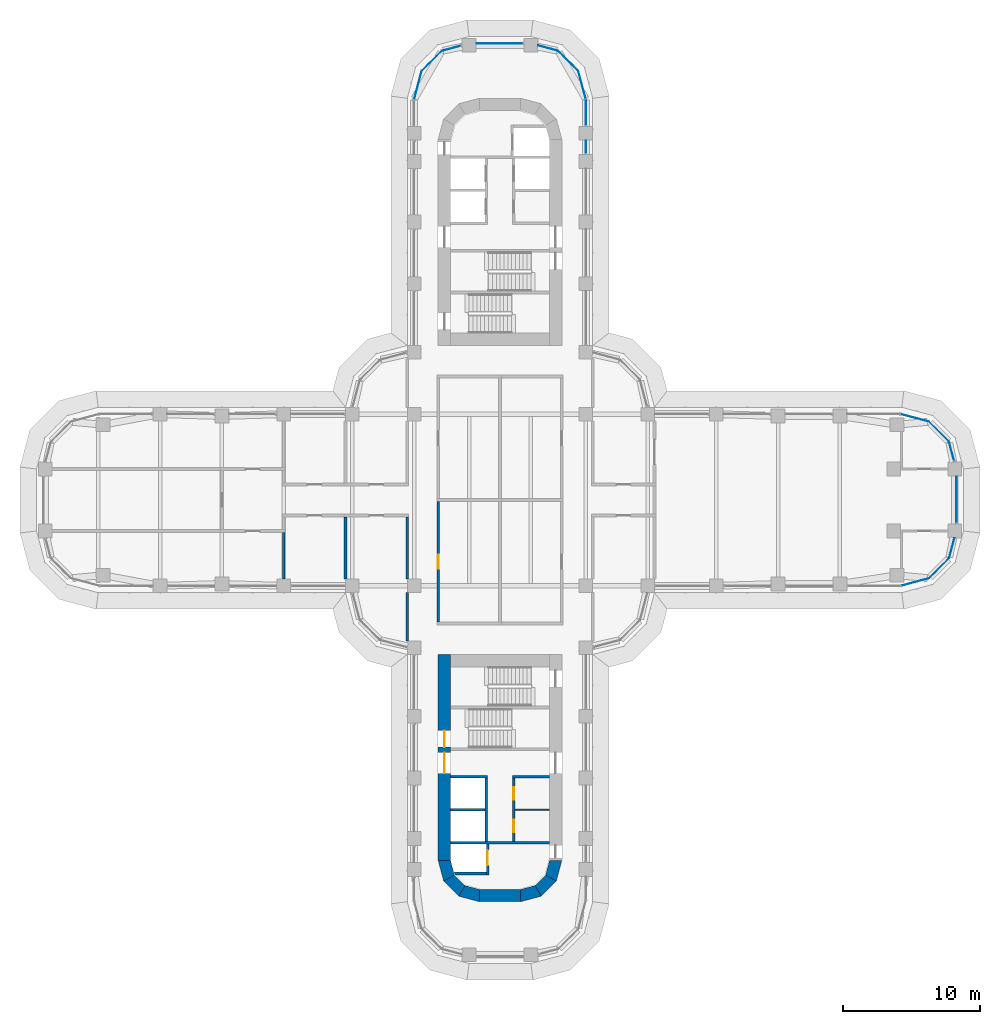
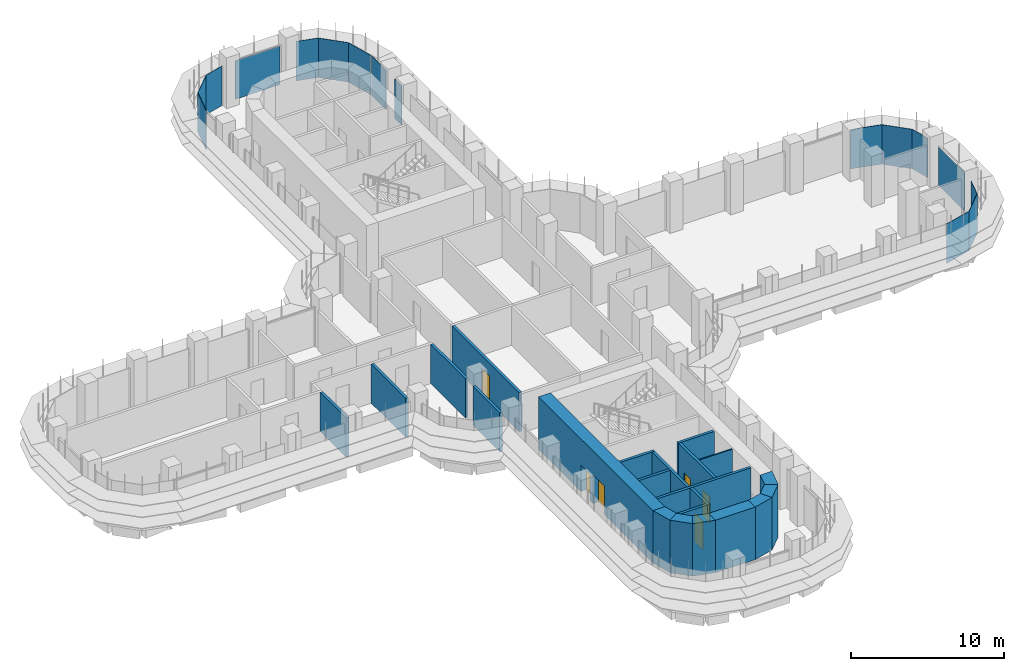
# One storey, part 16 of 23: 22 walls, 16 plates, 6 doors, 6 openings, 15 elements without a shape of their own.
"""IFC4 building model written with IfcOpenShell, lengths in metres."""

from ifc_helpers import new_model, si_unit, direction, frame, frame_2d, origin, place, context, subcontext, project, spatial, polyline, rectangle, outline, extrude, source, transform, mapped, material, layer, layer_set, type_object, element, fill, aggregate, save


model = new_model("IFC4")

# Units and contexts
model_context = context("Model", 3, precision=1e-05, world=origin(), true_north=direction((0.0, 1.0)))
body_context = subcontext(model_context, "Body", "Model", "MODEL_VIEW")
ifc_project = project(units=[si_unit("LENGTHUNIT", "METRE"), si_unit("AREAUNIT", "SQUARE_METRE"), si_unit("VOLUMEUNIT", "CUBIC_METRE"), si_unit("PLANEANGLEUNIT", "RADIAN"), si_unit("MASSUNIT", "GRAM", prefix="KILO")], contexts=[model_context])

# Site, building, storey
site_placement = place(None, origin())
site = spatial("IfcSite", under=ifc_project, at=site_placement, CompositionType="ELEMENT")
building_placement = place(site_placement, origin())
building = spatial("IfcBuilding", under=site, at=building_placement, Name="Zarbagh Exchange Tower", CompositionType="ELEMENT")
storey_placement = place(building_placement, frame((0.0, 0.0, 60.60009765625)))
storey = spatial("IfcBuildingStorey", under=building, at=storey_placement, Name="L13", CompositionType="ELEMENT", Elevation=60.60009765625)

# Curtain wall, plate
ifc_material_1 = material(Name="Anodised aluminium frame and glazing", Category="aluminium")
curtain_wall_type = type_object("IfcCurtainWallType", Name="CWA Ribbon glazing, lower zones", PredefinedType="NOTDEFINED", material=ifc_material_1)
curtain_wall_1_placement = place(storey_placement, origin())
curtain_wall_1 = element("IfcCurtainWall", 1, at=curtain_wall_1_placement, inside=storey, type_object=curtain_wall_type, Name="CWA13 curtain wall", PredefinedType="NOTDEFINED")
ifc_material_2 = material(Name="Low-e double glazed unit, 6+12+6 mm")
ifc_layer_1 = layer(ifc_material_2, 0.028076171875)
ifc_layer_set_1 = layer_set([ifc_layer_1], Name="PAA Glazing panel, Low-e double glazed unit, 6+12+6 mm")
plate_type = type_object("IfcPlateType", Name="PAA Glazing panel, Low-e double glazed unit, 6+12+6 mm", PredefinedType="CURTAIN_PANEL", material=ifc_layer_set_1)
shared_shape_1 = source(origin(), body_context, "Body", "SweptSolid", [
    extrude(outline(polyline([(0.0, -0.013916015625), (1.4423828125, -0.013916015625), (1.4423828125, 0.013916015625), (0.0, 0.013916015625), (0.0, -0.013916015625)])), origin(), (0.0, 0.0, 1.0), 3.14990234375),
])
placement = place(storey_placement, origin())
plate_1 = element("IfcPlate", 2, at=placement, type_object=plate_type, Name="CWA13 glazing panel 1.1", PredefinedType="CURTAIN_PANEL", context=body_context, shape_type="MappedRepresentation", body=[
    mapped(shared_shape_1, transform((33.072021484375, 2.847900390625, 0.0), x_axis=(-0.258824779902, 0.965924289636, 0.0), y_axis=(-0.965924289636, -0.258824779902, 0.0), z_axis=(0.0, 0.0, 1.0))),
])
aggregate(curtain_wall_1, [plate_1])

curtain_wall_2_placement = place(storey_placement, origin())
curtain_wall_2 = element("IfcCurtainWall", 3, at=curtain_wall_2_placement, inside=storey, type_object=curtain_wall_type, Name="CWA25 curtain wall", PredefinedType="NOTDEFINED")
plate_2 = element("IfcPlate", 4, at=placement, type_object=plate_type, Name="CWA25 glazing panel 1.1", PredefinedType="CURTAIN_PANEL", context=body_context, shape_type="MappedRepresentation", body=[
    mapped(shared_shape_1, transform((-2.847900390625, 33.072021484375, 0.0), x_axis=(-0.965924289636, -0.258824779902, 0.0), y_axis=(0.258824779902, -0.965924289636, 0.0), z_axis=(0.0, 0.0, 1.0))),
])
aggregate(curtain_wall_2, [plate_2])

curtain_wall_3_placement = place(storey_placement, origin())
curtain_wall_3 = element("IfcCurtainWall", 5, at=curtain_wall_3_placement, inside=storey, type_object=curtain_wall_type, Name="CWA10 curtain wall", PredefinedType="NOTDEFINED")
shared_shape_2 = source(origin(), body_context, "Body", "SweptSolid", [
    extrude(outline(polyline([(0.0, -0.013916015625), (2.061279296875, -0.013916015625), (2.061279296875, 0.013916015625), (0.0, 0.013916015625), (0.0, -0.013916015625)])), origin(), (0.0, 0.0, 1.0), 3.14990234375),
])
plate_3 = element("IfcPlate", 6, at=placement, type_object=plate_type, Name="CWA10 glazing panel 1.1", PredefinedType="CURTAIN_PANEL", context=body_context, shape_type="MappedRepresentation", body=[
    mapped(shared_shape_2, transform((31.2412109375, -5.69873046875, 0.0), x_axis=(0.707106781187, 0.707106781187, 0.0), y_axis=(-0.707106781187, 0.707106781187, 0.0), z_axis=(0.0, 0.0, 1.0))),
])
aggregate(curtain_wall_3, [plate_3])

curtain_wall_4_placement = place(storey_placement, origin())
curtain_wall_4 = element("IfcCurtainWall", 7, at=curtain_wall_4_placement, inside=storey, type_object=curtain_wall_type, Name="CWA14 curtain wall", PredefinedType="NOTDEFINED")
plate_4 = element("IfcPlate", 8, at=placement, type_object=plate_type, Name="CWA14 glazing panel 1.1", PredefinedType="CURTAIN_PANEL", context=body_context, shape_type="MappedRepresentation", body=[
    mapped(shared_shape_2, transform((32.69873046875, 4.2412109375, 0.0), x_axis=(-0.707106781187, 0.707106781187, 0.0), y_axis=(-0.707106781187, -0.707106781187, 0.0), z_axis=(0.0, 0.0, 1.0))),
])
aggregate(curtain_wall_4, [plate_4])

curtain_wall_5_placement = place(storey_placement, origin())
curtain_wall_5 = element("IfcCurtainWall", 9, at=curtain_wall_5_placement, inside=storey, type_object=curtain_wall_type, Name="CWA22 curtain wall", PredefinedType="NOTDEFINED")
plate_5 = element("IfcPlate", 10, at=placement, type_object=plate_type, Name="CWA22 glazing panel 1.1", PredefinedType="CURTAIN_PANEL", context=body_context, shape_type="MappedRepresentation", body=[
    mapped(shared_shape_2, transform((5.69873046875, 31.2412109375, 0.0), x_axis=(-0.707106781187, 0.707106781187, 0.0), y_axis=(-0.707106781187, -0.707106781187, 0.0), z_axis=(0.0, 0.0, 1.0))),
])
aggregate(curtain_wall_5, [plate_5])

curtain_wall_6_placement = place(storey_placement, origin())
curtain_wall_6 = element("IfcCurtainWall", 11, at=curtain_wall_6_placement, inside=storey, type_object=curtain_wall_type, Name="CWA26 curtain wall", PredefinedType="NOTDEFINED")
plate_6 = element("IfcPlate", 12, at=placement, type_object=plate_type, Name="CWA26 glazing panel 1.1", PredefinedType="CURTAIN_PANEL", context=body_context, shape_type="MappedRepresentation", body=[
    mapped(shared_shape_2, transform((-4.2412109375, 32.69873046875, 0.0), x_axis=(-0.707106781187, -0.707106781187, 0.0), y_axis=(0.707106781187, -0.707106781187, 0.0), z_axis=(0.0, 0.0, 1.0))),
])
aggregate(curtain_wall_6, [plate_6])

curtain_wall_7_placement = place(storey_placement, origin())
curtain_wall_7 = element("IfcCurtainWall", 13, at=curtain_wall_7_placement, inside=storey, type_object=curtain_wall_type, Name="CWA15 curtain wall", PredefinedType="NOTDEFINED")
shared_shape_3 = source(origin(), body_context, "Body", "SweptSolid", [
    extrude(outline(polyline([(0.0, -0.013916015625), (2.129638671875, -0.013916015625), (2.129638671875, 0.013916015625), (0.0, 0.013916015625), (0.0, -0.013916015625)])), origin(), (0.0, 0.0, 1.0), 3.14990234375),
])
plate_7 = element("IfcPlate", 14, at=placement, type_object=plate_type, Name="CWA15 glazing panel 1.1", PredefinedType="CURTAIN_PANEL", context=body_context, shape_type="MappedRepresentation", body=[
    mapped(shared_shape_3, transform((31.2412109375, 5.69873046875, 0.0), x_axis=(-0.965924289636, 0.258824779902, 0.0), y_axis=(-0.258824779902, -0.965924289636, 0.0), z_axis=(0.0, 0.0, 1.0))),
])
aggregate(curtain_wall_7, [plate_7])

curtain_wall_8_placement = place(storey_placement, origin())
curtain_wall_8 = element("IfcCurtainWall", 15, at=curtain_wall_8_placement, inside=storey, type_object=curtain_wall_type, Name="CWA27 curtain wall", PredefinedType="NOTDEFINED")
plate_8 = element("IfcPlate", 16, at=placement, type_object=plate_type, Name="CWA27 glazing panel 1.1", PredefinedType="CURTAIN_PANEL", context=body_context, shape_type="MappedRepresentation", body=[
    mapped(shared_shape_3, transform((-5.69873046875, 31.2412109375, 0.0), x_axis=(-0.258824779902, -0.965924289636, 0.0), y_axis=(0.965924289636, -0.258824779902, 0.0), z_axis=(0.0, 0.0, 1.0))),
])
aggregate(curtain_wall_8, [plate_8])

curtain_wall_9_placement = place(storey_placement, origin())
curtain_wall_9 = element("IfcCurtainWall", 17, at=curtain_wall_9_placement, inside=storey, type_object=curtain_wall_type, Name="CWA09 curtain wall", PredefinedType="NOTDEFINED")
shared_shape_4 = source(origin(), body_context, "Body", "SweptSolid", [
    extrude(outline(polyline([(0.0, -0.013916015625), (2.069580078125, -0.013916015625), (2.069580078125, 0.013916015625), (0.0, 0.013916015625), (0.0, -0.013916015625)])), origin(), (0.0, 0.0, 1.0), 3.14990234375),
])
plate_9 = element("IfcPlate", 18, at=placement, type_object=plate_type, Name="CWA09 glazing panel 1.1", PredefinedType="CURTAIN_PANEL", context=body_context, shape_type="MappedRepresentation", body=[
    mapped(shared_shape_4, transform((29.2421875, -6.234375, 0.0), x_axis=(0.965924289636, 0.258824779902, 0.0), y_axis=(-0.258824779902, 0.965924289636, 0.0), z_axis=(0.0, 0.0, 1.0))),
])
aggregate(curtain_wall_9, [plate_9])

curtain_wall_10_placement = place(storey_placement, origin())
curtain_wall_10 = element("IfcCurtainWall", 19, at=curtain_wall_10_placement, inside=storey, type_object=curtain_wall_type, Name="CWA21 curtain wall", PredefinedType="NOTDEFINED")
plate_10 = element("IfcPlate", 20, at=placement, type_object=plate_type, Name="CWA21 glazing panel 1.1", PredefinedType="CURTAIN_PANEL", context=body_context, shape_type="MappedRepresentation", body=[
    mapped(shared_shape_4, transform((6.234375, 29.2421875, 0.0), x_axis=(-0.258824779902, 0.965924289636, 0.0), y_axis=(-0.965924289636, -0.258824779902, 0.0), z_axis=(0.0, 0.0, 1.0))),
])
aggregate(curtain_wall_10, [plate_10])

curtain_wall_11_placement = place(storey_placement, origin())
curtain_wall_11 = element("IfcCurtainWall", 21, at=curtain_wall_11_placement, inside=storey, type_object=curtain_wall_type, Name="CWA11 curtain wall", PredefinedType="NOTDEFINED")
shared_shape_5 = source(origin(), body_context, "Body", "SweptSolid", [
    extrude(outline(polyline([(0.0, -0.013916015625), (1.50244140625, -0.013916015625), (1.50244140625, 0.013916015625), (0.0, 0.013916015625), (0.0, -0.013916015625)])), origin(), (0.0, 0.0, 1.0), 3.14990234375),
])
plate_11 = element("IfcPlate", 22, at=placement, type_object=plate_type, Name="CWA11 glazing panel 1.1", PredefinedType="CURTAIN_PANEL", context=body_context, shape_type="MappedRepresentation", body=[
    mapped(shared_shape_5, transform((32.69873046875, -4.2412109375, 0.0), x_axis=(0.258824779902, 0.965924289636, 0.0), y_axis=(-0.965924289636, 0.258824779902, 0.0), z_axis=(0.0, 0.0, 1.0))),
])
aggregate(curtain_wall_11, [plate_11])

curtain_wall_12_placement = place(storey_placement, origin())
curtain_wall_12 = element("IfcCurtainWall", 23, at=curtain_wall_12_placement, inside=storey, type_object=curtain_wall_type, Name="CWA23 curtain wall", PredefinedType="NOTDEFINED")
plate_12 = element("IfcPlate", 24, at=placement, type_object=plate_type, Name="CWA23 glazing panel 1.1", PredefinedType="CURTAIN_PANEL", context=body_context, shape_type="MappedRepresentation", body=[
    mapped(shared_shape_5, transform((4.2412109375, 32.69873046875, 0.0), x_axis=(-0.965924289636, 0.258824779902, 0.0), y_axis=(-0.258824779902, -0.965924289636, 0.0), z_axis=(0.0, 0.0, 1.0))),
])
aggregate(curtain_wall_12, [plate_12])

curtain_wall_13_placement = place(storey_placement, origin())
curtain_wall_13 = element("IfcCurtainWall", 25, at=curtain_wall_13_placement, inside=storey, type_object=curtain_wall_type, Name="CWA12 curtain wall", PredefinedType="NOTDEFINED")
shared_shape_6 = source(origin(), body_context, "Body", "SweptSolid", [
    extrude(outline(polyline([(0.0, -0.013916015625), (3.360107421875, -0.013916015625), (3.360107421875, 0.013916015625), (0.0, 0.013916015625), (0.0, -0.013916015625)])), origin(), (0.0, 0.0, 1.0), 3.090087890625),
])
plate_13 = element("IfcPlate", 26, at=placement, type_object=plate_type, Name="CWA12 glazing panel 1.1", PredefinedType="CURTAIN_PANEL", context=body_context, shape_type="MappedRepresentation", body=[
    mapped(shared_shape_6, transform((33.25, -1.64990234375, 0.0), x_axis=(0.0, 1.0, 0.0), y_axis=(-1.0, 0.0, 0.0), z_axis=(0.0, 0.0, 1.0))),
])
aggregate(curtain_wall_13, [plate_13])

curtain_wall_14_placement = place(storey_placement, origin())
curtain_wall_14 = element("IfcCurtainWall", 27, at=curtain_wall_14_placement, inside=storey, type_object=curtain_wall_type, Name="CWA24 curtain wall", PredefinedType="NOTDEFINED")
plate_14 = element("IfcPlate", 28, at=placement, type_object=plate_type, Name="CWA24 glazing panel 1.1", PredefinedType="CURTAIN_PANEL", context=body_context, shape_type="MappedRepresentation", body=[
    mapped(shared_shape_6, transform((1.64990234375, 33.25, 0.0), x_axis=(-1.0, 0.0, 0.0), y_axis=(0.0, -1.0, 0.0), z_axis=(0.0, 0.0, 1.0))),
])
aggregate(curtain_wall_14, [plate_14])

# Curtain wall, plates
curtain_wall_15_placement = place(storey_placement, origin())
curtain_wall_15 = element("IfcCurtainWall", 29, at=curtain_wall_15_placement, inside=storey, type_object=curtain_wall_type, Name="CWA20 curtain wall", PredefinedType="NOTDEFINED")
shared_shape_7 = source(origin(), body_context, "Body", "SweptSolid", [
    extrude(outline(polyline([(0.0, -0.013916015625), (0.909912109375, -0.013916015625), (0.909912109375, 0.013916015625), (0.0, 0.013916015625), (0.0, -0.013916015625)])), origin(), (0.0, 0.0, 1.0), 3.14990234375),
])
plate_15 = element("IfcPlate", 30, at=placement, type_object=plate_type, Name="CWA20 glazing panel 4.1", PredefinedType="CURTAIN_PANEL", context=body_context, shape_type="MappedRepresentation", body=[
    mapped(shared_shape_7, transform((6.25, 25.25, 0.0), x_axis=(0.0, 1.0, 0.0), y_axis=(-1.0, 0.0, 0.0), z_axis=(0.0, 0.0, 1.0))),
])
shared_shape_8 = source(origin(), body_context, "Body", "SweptSolid", [
    extrude(outline(polyline([(0.0, -0.013916015625), (1.884033203125, -0.013916015625), (1.884033203125, 0.013916015625), (0.0, 0.013916015625), (0.0, -0.013916015625)])), origin(), (0.0, 0.0, 1.0), 3.14990234375),
])
plate_16 = element("IfcPlate", 31, at=placement, type_object=plate_type, Name="CWA20 glazing panel 5.1", PredefinedType="CURTAIN_PANEL", context=body_context, shape_type="MappedRepresentation", body=[
    mapped(shared_shape_8, transform((6.25, 27.300048828125, 0.0), x_axis=(0.0, 1.0, 0.0), y_axis=(-1.0, 0.0, 0.0), z_axis=(0.0, 0.0, 1.0))),
])
aggregate(curtain_wall_15, [plate_15, plate_16])

# Wall
ifc_material_3 = material(Name="Dense blockwork", Category="masonry")
ifc_layer_2 = layer(ifc_material_3, 0.10009765625)
ifc_layer_set_2 = layer_set([ifc_layer_2], Name="Core partition 100 mm blockwork")
wall_type_1 = type_object("IfcWallType", Name="Core partition 100 mm blockwork", PredefinedType="PARTITIONING", material=ifc_layer_set_2)
wall_1_placement = place(storey_placement, frame((3.60009765625, -22.550048828125, 0.0), z_axis=(0.0, 0.0, 1.0), x_axis=(-1.0, 0.0, 0.0)))
element("IfcWall", 32, at=wall_1_placement, inside=storey, type_object=wall_type_1, Name="South core partition wall CUT-W-580", PredefinedType="PARTITIONING", context=body_context, shape_type="SweptSolid", body=[
    extrude(rectangle(XDim=2.5, YDim=0.10009765625, at=frame_2d((1.25, 0.0))), origin(), (0.0, 0.0, 1.0), 4.0498046875),
])

# Wall, opening, door
ifc_material_4 = material(Name="Fire-rated plasterboard partition")
ifc_layer_3 = layer(ifc_material_4, 0.199951171875)
ifc_layer_set_3 = layer_set([ifc_layer_3], Name="RATED PARTITION 200")
wall_type_2 = type_object("IfcWallType", Name="RATED PARTITION 200", PredefinedType="PARTITIONING", material=ifc_layer_set_3)
wall_2_placement = place(storey_placement, frame((-4.5, -0.10009765625, 0.0), z_axis=(0.0, 0.0, 1.0), x_axis=(0.0, -1.0, 0.0)))
wall_2 = element("IfcWall", 33, at=wall_2_placement, inside=storey, type_object=wall_type_2, Name="Partition W-402", PredefinedType="PARTITIONING", context=body_context, shape_type="SweptSolid", body=[
    extrude(rectangle(XDim=8.7998046875, YDim=0.199951171875, at=frame_2d((4.39990234375, 0.0))), origin(), (0.0, 0.0, 1.0), 3.13037109375),
])
opening_1_placement = place(wall_2_placement, frame((3.89990234375, 0.0, 0.0)))
opening_1 = element("IfcOpeningElement", 34, at=opening_1_placement, cuts=wall_2, Name="Opening D-404", PredefinedType="OPENING", context=body_context, shape_type="SweptSolid", body=[
    extrude(rectangle(XDim=1.0, YDim=2.10009765625, at=frame_2d((0.5, 1.050048828125))), frame((0.0, 0.10986328125, 0.0), z_axis=(0.0, -1.0, 0.0), x_axis=(1.0, 0.0, 0.0)), (0.0, 0.0, 1.0), 0.219970703125),
])
ifc_material_5 = material(Name="Steel door set", Category="steel")
door_type_1 = type_object("IfcDoorType", Name="FIRE DOOR 1000 X 2100 FD30S", OperationType="NOTDEFINED", PredefinedType="DOOR", material=ifc_material_5)
door_1_placement = place(opening_1_placement, origin())
door_1 = element("IfcDoor", 35, at=door_1_placement, inside=storey, type_object=door_type_1, Name="Door D-404", OperationType="SINGLE_SWING_RIGHT", OverallHeight=2.10009765625, OverallWidth=1.0, PredefinedType="DOOR", context=body_context, shape_type="SweptSolid", body=[
    extrude(rectangle(XDim=1.0, YDim=2.10009765625, at=frame_2d((0.5, 1.050048828125))), frame((0.0, 0.02490234375, 0.0), z_axis=(0.0, -1.0, 0.0), x_axis=(1.0, 0.0, 0.0)), (0.0, 0.0, 1.0), 0.050048828125),
])
fill(opening_1, door_1)

# Walls
wall_3_placement = place(storey_placement, frame((-6.75, -10.25, 0.0), z_axis=(0.0, 0.0, 1.0), x_axis=(0.0, 1.0, 0.0)))
element("IfcWall", 36, at=wall_3_placement, inside=storey, type_object=wall_type_2, Name="Partition W-405", PredefinedType="PARTITIONING", context=body_context, shape_type="SweptSolid", body=[
    extrude(rectangle(XDim=3.5, YDim=0.199951171875, at=frame_2d((1.75, 0.0))), origin(), (0.0, 0.0, 1.0), 3.13037109375),
])
for number, where, z_axis, x_axis, name in (
    (37, (-6.75, -5.75, 0.0), (0.0, 0.0, 1.0), (0.0, 1.0, 0.0), "Partition W-406"),
    (38, (-11.25, -5.75, 0.0), (0.0, 0.0, 1.0), (0.0, 1.0, 0.0), "Partition W-435"),
):
    element("IfcWall", number, at=place(storey_placement, frame(where, z_axis=z_axis, x_axis=x_axis)), inside=storey, type_object=wall_type_2, Name=name, PredefinedType="PARTITIONING", context=body_context, shape_type="SweptSolid", body=[
        extrude(rectangle(XDim=4.52490234375, YDim=0.199951171875, at=frame_2d((2.262451171875, 0.0))), origin(), (0.0, 0.0, 1.0), 3.13037109375),
    ])
wall_4_placement = place(storey_placement, frame((-15.75, -5.75, 0.0), z_axis=(0.0, 0.0, 1.0), x_axis=(0.0, 1.0, 0.0)))
element("IfcWall", 39, at=wall_4_placement, inside=storey, type_object=wall_type_2, Name="Partition W-439", PredefinedType="PARTITIONING", context=body_context, shape_type="SweptSolid", body=[
    extrude(rectangle(XDim=3.39990234375, YDim=0.199951171875, at=frame_2d((1.699951171875, 0.0))), origin(), (0.0, 0.0, 1.0), 3.13037109375),
])
ifc_material_6 = material(Name="Concrete C60/75", Category="concrete")
ifc_layer_4 = layer(ifc_material_6, 0.89990234375)
ifc_layer_set_4 = layer_set([ifc_layer_4], Name="RC core corner wall 900 C60/75")
wall_type_3 = type_object("IfcWallType", Name="RC core corner wall 900 C60/75", PredefinedType="SHEAR", material=ifc_layer_set_4)
wall_5_placement = place(storey_placement, origin())
element("IfcWall", 40, at=wall_5_placement, inside=storey, type_object=wall_type_3, Name="CW2 core S corner W", PredefinedType="SHEAR", context=body_context, shape_type="SweptSolid", body=[
    extrude(outline(polyline([(-4.5, -26.25), (-4.09814453125, -27.75), (-3.318603515625, -27.300048828125), (-3.60009765625, -26.25), (-4.5, -26.25)])), origin(), (0.0, 0.0, 1.0), 4.199951171875),
])
wall_6_placement = place(storey_placement, origin())
element("IfcWall", 41, at=wall_6_placement, inside=storey, type_object=wall_type_3, Name="CW2 core S corner W", PredefinedType="SHEAR", context=body_context, shape_type="SweptSolid", body=[
    extrude(outline(polyline([(-4.09814453125, -27.75), (-3.0, -28.84814453125), (-2.550048828125, -28.068603515625), (-3.318603515625, -27.300048828125), (-4.09814453125, -27.75)])), origin(), (0.0, 0.0, 1.0), 4.199951171875),
])
wall_7_placement = place(storey_placement, origin())
element("IfcWall", 42, at=wall_7_placement, inside=storey, type_object=wall_type_3, Name="CW2 core S corner W", PredefinedType="SHEAR", context=body_context, shape_type="SweptSolid", body=[
    extrude(outline(polyline([(-3.0, -28.84814453125), (-1.5, -29.25), (-1.5, -28.35009765625), (-2.550048828125, -28.068603515625), (-3.0, -28.84814453125)])), origin(), (0.0, 0.0, 1.0), 4.199951171875),
])
wall_8_placement = place(storey_placement, origin())
element("IfcWall", 43, at=wall_8_placement, inside=storey, type_object=wall_type_3, Name="CW2 core S corner E", PredefinedType="SHEAR", context=body_context, shape_type="SweptSolid", body=[
    extrude(outline(polyline([(4.5, -26.25), (4.09814453125, -27.75), (3.318603515625, -27.300048828125), (3.60009765625, -26.25), (4.5, -26.25)])), origin(), (0.0, 0.0, 1.0), 4.199951171875),
])
wall_9_placement = place(storey_placement, origin())
element("IfcWall", 44, at=wall_9_placement, inside=storey, type_object=wall_type_3, Name="CW2 core S corner E", PredefinedType="SHEAR", context=body_context, shape_type="SweptSolid", body=[
    extrude(outline(polyline([(4.09814453125, -27.75), (3.0, -28.84814453125), (2.550048828125, -28.068603515625), (3.318603515625, -27.300048828125), (4.09814453125, -27.75)])), origin(), (0.0, 0.0, 1.0), 4.199951171875),
])
wall_10_placement = place(storey_placement, origin())
element("IfcWall", 45, at=wall_10_placement, inside=storey, type_object=wall_type_3, Name="CW2 core S corner E", PredefinedType="SHEAR", context=body_context, shape_type="SweptSolid", body=[
    extrude(outline(polyline([(3.0, -28.84814453125), (1.5, -29.25), (1.5, -28.35009765625), (2.550048828125, -28.068603515625), (3.0, -28.84814453125)])), origin(), (0.0, 0.0, 1.0), 4.199951171875),
])

# Wall, openings, doors
ifc_layer_5 = layer(ifc_material_6, 0.89990234375)
ifc_layer_set_5 = layer_set([ifc_layer_5], Name="RC core wall 900 C60/75")
wall_type_4 = type_object("IfcWallType", Name="RC core wall 900 C60/75", PredefinedType="SHEAR", material=ifc_layer_set_5)
wall_11_placement = place(storey_placement, frame((-4.050048828125, -11.25, 0.0), z_axis=(0.0, 0.0, 1.0), x_axis=(0.0, -1.0, 0.0)))
wall_11 = element("IfcWall", 46, at=wall_11_placement, inside=storey, type_object=wall_type_4, Name="CW1 core S W", PredefinedType="SHEAR", context=body_context, shape_type="SweptSolid", body=[
    extrude(rectangle(XDim=15.0, YDim=0.89990234375, at=frame_2d((7.5, 0.0))), origin(), (0.0, 0.0, 1.0), 4.199951171875),
])
opening_2_placement = place(wall_11_placement, frame((7.14990234375, 0.0, 0.0)))
opening_2 = element("IfcOpeningElement", 47, at=opening_2_placement, cuts=wall_11, Name="Opening CD1-1500", PredefinedType="OPENING", context=body_context, shape_type="SweptSolid", body=[
    extrude(rectangle(XDim=1.5, YDim=2.300048828125, at=frame_2d((0.75, 1.14990234375))), frame((0.0, 0.4599609375, 0.0), z_axis=(0.0, -1.0, 0.0), x_axis=(1.0, 0.0, 0.0)), (0.0, 0.0, 1.0), 0.919921875),
])
opening_3_placement = place(wall_11_placement, frame((5.550048828125, 0.0, 0.0)))
opening_3 = element("IfcOpeningElement", 48, at=opening_3_placement, cuts=wall_11, Name="Opening SD1-1200", PredefinedType="OPENING", context=body_context, shape_type="SweptSolid", body=[
    extrude(rectangle(XDim=1.199951171875, YDim=2.10009765625, at=frame_2d((0.60009765625, 1.050048828125))), frame((0.0, 0.4599609375, 0.0), z_axis=(0.0, -1.0, 0.0), x_axis=(1.0, 0.0, 0.0)), (0.0, 0.0, 1.0), 0.919921875),
])
ifc_material_7 = material(Name="Steel", Category="steel")
door_type_2 = type_object("IfcDoorType", Name="Exit stair door 1200 x 2100", OperationType="NOTDEFINED", PredefinedType="DOOR", material=ifc_material_7)
door_2_placement = place(opening_3_placement, origin())
door_2 = element("IfcDoor", 49, at=door_2_placement, inside=storey, type_object=door_type_2, Name="South core stair door ST1", OperationType="SINGLE_SWING_LEFT", OverallHeight=2.10009765625, OverallWidth=1.199951171875, PredefinedType="DOOR", context=body_context, shape_type="SweptSolid", body=[
    extrude(rectangle(XDim=1.199951171875, YDim=2.10009765625, at=frame_2d((0.60009765625, 1.050048828125))), frame((0.0, 0.02490234375, 0.0), z_axis=(0.0, -1.0, 0.0), x_axis=(1.0, 0.0, 0.0)), (0.0, 0.0, 1.0), 0.050048828125),
])
fill(opening_3, door_2)
door_type_3 = type_object("IfcDoorType", Name="Lift lobby double door 1500 x 2300", OperationType="NOTDEFINED", PredefinedType="DOOR", material=ifc_material_7)
door_3_placement = place(opening_2_placement, origin())
door_3 = element("IfcDoor", 50, at=door_3_placement, inside=storey, type_object=door_type_3, Name="South core lift lobby door LOBBY-E", OperationType="DOUBLE_DOOR_SINGLE_SWING", OverallHeight=2.300048828125, OverallWidth=1.5, PredefinedType="DOOR", context=body_context, shape_type="SweptSolid", body=[
    extrude(rectangle(XDim=1.5, YDim=2.300048828125, at=frame_2d((0.75, 1.14990234375))), frame((0.0, 0.02490234375, 0.0), z_axis=(0.0, -1.0, 0.0), x_axis=(1.0, 0.0, 0.0)), (0.0, 0.0, 1.0), 0.050048828125),
])
fill(opening_2, door_3)

# Walls
wall_12_placement = place(storey_placement, frame((-1.5, -28.800048828125, 0.0), z_axis=(0.0, 0.0, 1.0), x_axis=(1.0, 0.0, 0.0)))
element("IfcWall", 51, at=wall_12_placement, inside=storey, type_object=wall_type_4, Name="CW1 core S outer end", PredefinedType="SHEAR", context=body_context, shape_type="SweptSolid", body=[
    extrude(rectangle(XDim=3.0, YDim=0.89990234375, at=frame_2d((1.5, 0.0))), origin(), (0.0, 0.0, 1.0), 4.199951171875),
])
ifc_layer_6 = layer(ifc_material_3, 0.199951171875)
ifc_layer_set_6 = layer_set([ifc_layer_6], Name="Shaft wall 200 mm blockwork")
wall_type_5 = type_object("IfcWallType", Name="Shaft wall 200 mm blockwork", PredefinedType="PARTITIONING", material=ifc_layer_set_6)
wall_13_placement = place(storey_placement, frame((3.60009765625, -20.14990234375, 0.0), z_axis=(0.0, 0.0, 1.0), x_axis=(-1.0, 0.0, 0.0)))
element("IfcWall", 52, at=wall_13_placement, inside=storey, type_object=wall_type_5, Name="South core shaft wall AB-W", PredefinedType="PARTITIONING", context=body_context, shape_type="SweptSolid", body=[
    extrude(rectangle(XDim=2.7001953125, YDim=0.199951171875, at=frame_2d((1.35009765625, 0.0))), origin(), (0.0, 0.0, 1.0), 4.0498046875),
])

# Wall, openings, doors
wall_14_placement = place(storey_placement, frame((1.0, -24.85009765625, 0.0), z_axis=(0.0, 0.0, 1.0), x_axis=(0.0, 1.0, 0.0)))
wall_14 = element("IfcWall", 53, at=wall_14_placement, inside=storey, type_object=wall_type_5, Name="South core shaft wall LW-W", PredefinedType="PARTITIONING", context=body_context, shape_type="SweptSolid", body=[
    extrude(rectangle(XDim=4.60009765625, YDim=0.199951171875, at=frame_2d((2.300048828125, 0.0))), origin(), (0.0, 0.0, 1.0), 4.0498046875),
])
opening_4_placement = place(wall_14_placement, frame((0.675048828125, 0.0, 0.0)))
opening_4 = element("IfcOpeningElement", 54, at=opening_4_placement, cuts=wall_14, Name="Opening CD3-900", PredefinedType="OPENING", context=body_context, shape_type="SweptSolid", body=[
    extrude(rectangle(XDim=0.89990234375, YDim=2.10009765625, at=frame_2d((0.449951171875, 1.050048828125))), frame((0.0, 0.10986328125, 0.0), z_axis=(0.0, -1.0, 0.0), x_axis=(1.0, 0.0, 0.0)), (0.0, 0.0, 1.0), 0.219970703125),
])
opening_5_placement = place(wall_14_placement, frame((3.02490234375, 0.0, 0.0)))
opening_5 = element("IfcOpeningElement", 55, at=opening_5_placement, cuts=wall_14, Name="Opening CD3-900", PredefinedType="OPENING", context=body_context, shape_type="SweptSolid", body=[
    extrude(rectangle(XDim=0.89990234375, YDim=2.10009765625, at=frame_2d((0.449951171875, 1.050048828125))), frame((0.0, 0.10986328125, 0.0), z_axis=(0.0, -1.0, 0.0), x_axis=(1.0, 0.0, 0.0)), (0.0, 0.0, 1.0), 0.219970703125),
])
door_type_4 = type_object("IfcDoorType", Name="Core room door 900 x 2100", OperationType="NOTDEFINED", PredefinedType="DOOR", material=ifc_material_7)
door_4_placement = place(opening_4_placement, origin())
door_4 = element("IfcDoor", 56, at=door_4_placement, inside=storey, type_object=door_type_4, Name="South core Staff WC door RD-W-0", OperationType="SINGLE_SWING_LEFT", OverallHeight=2.10009765625, OverallWidth=0.89990234375, PredefinedType="DOOR", context=body_context, shape_type="SweptSolid", body=[
    extrude(rectangle(XDim=0.89990234375, YDim=2.10009765625, at=frame_2d((0.449951171875, 1.050048828125))), frame((0.0, 0.02490234375, 0.0), z_axis=(0.0, -1.0, 0.0), x_axis=(1.0, 0.0, 0.0)), (0.0, 0.0, 1.0), 0.050048828125),
])
fill(opening_4, door_4)
door_5_placement = place(opening_5_placement, origin())
door_5 = element("IfcDoor", 57, at=door_5_placement, inside=storey, type_object=door_type_4, Name="South core Accessible WC door RD-W-1", OperationType="SINGLE_SWING_LEFT", OverallHeight=2.10009765625, OverallWidth=0.89990234375, PredefinedType="DOOR", context=body_context, shape_type="SweptSolid", body=[
    extrude(rectangle(XDim=0.89990234375, YDim=2.10009765625, at=frame_2d((0.449951171875, 1.050048828125))), frame((0.0, 0.02490234375, 0.0), z_axis=(0.0, -1.0, 0.0), x_axis=(1.0, 0.0, 0.0)), (0.0, 0.0, 1.0), 0.050048828125),
])
fill(opening_5, door_5)

# Walls
wall_15_placement = place(storey_placement, frame((-0.89990234375, -20.14990234375, 0.0), z_axis=(0.0, 0.0, 1.0), x_axis=(-1.0, 0.0, 0.0)))
element("IfcWall", 58, at=wall_15_placement, inside=storey, type_object=wall_type_5, Name="South core shaft wall AB-E", PredefinedType="PARTITIONING", context=body_context, shape_type="SweptSolid", body=[
    extrude(rectangle(XDim=2.7001953125, YDim=0.199951171875, at=frame_2d((1.35009765625, 0.0))), origin(), (0.0, 0.0, 1.0), 4.0498046875),
])
wall_16_placement = place(storey_placement, frame((-1.0, -24.85009765625, 0.0), z_axis=(0.0, 0.0, 1.0), x_axis=(0.0, 1.0, 0.0)))
element("IfcWall", 59, at=wall_16_placement, inside=storey, type_object=wall_type_5, Name="South core shaft wall LW-E", PredefinedType="PARTITIONING", context=body_context, shape_type="SweptSolid", body=[
    extrude(rectangle(XDim=4.60009765625, YDim=0.199951171875, at=frame_2d((2.300048828125, 0.0))), origin(), (0.0, 0.0, 1.0), 4.0498046875),
])
wall_17_placement = place(storey_placement, frame((-1.10009765625, -22.550048828125, 0.0), z_axis=(0.0, 0.0, 1.0), x_axis=(-1.0, 0.0, 0.0)))
element("IfcWall", 60, at=wall_17_placement, inside=storey, type_object=wall_type_5, Name="South core shaft wall TR-E", PredefinedType="PARTITIONING", context=body_context, shape_type="SweptSolid", body=[
    extrude(rectangle(XDim=2.5, YDim=0.199951171875, at=frame_2d((1.25, 0.0))), origin(), (0.0, 0.0, 1.0), 4.0498046875),
])
ifc_material_8 = material(Name="Concrete C40/50", Category="concrete")
ifc_layer_7 = layer(ifc_material_8, 0.199951171875)
ifc_layer_set_7 = layer_set([ifc_layer_7], Name="Stair enclosure wall 200 mm RC C40/50")
wall_type_6 = type_object("IfcWallType", Name="Stair enclosure wall 200 mm RC C40/50", PredefinedType="SHEAR", material=ifc_layer_set_7)
wall_18_placement = place(storey_placement, frame((3.60009765625, -24.949951171875, 0.0), z_axis=(0.0, 0.0, 1.0), x_axis=(-1.0, 0.0, 0.0)))
element("IfcWall", 61, at=wall_18_placement, inside=storey, type_object=wall_type_6, Name="South core lift shaft wall FFA", PredefinedType="SHEAR", context=body_context, shape_type="SweptSolid", body=[
    extrude(rectangle(XDim=7.2001953125, YDim=0.199951171875, at=frame_2d((3.60009765625, 0.0))), origin(), (0.0, 0.0, 1.0), 4.0498046875),
])

# Wall, opening, door
wall_19_placement = place(storey_placement, frame((-0.89990234375, -27.300048828125, 0.0), z_axis=(0.0, 0.0, 1.0), x_axis=(0.0, 1.0, 0.0)))
wall_19 = element("IfcWall", 62, at=wall_19_placement, inside=storey, type_object=wall_type_6, Name="South core lift shaft wall FFL", PredefinedType="SHEAR", context=body_context, shape_type="SweptSolid", body=[
    extrude(rectangle(XDim=2.25, YDim=0.199951171875, at=frame_2d((1.125, 0.0))), origin(), (0.0, 0.0, 1.0), 4.0498046875),
])
opening_6_placement = place(wall_19_placement, frame((0.699951171875, 0.0, 0.0)))
opening_6 = element("IfcOpeningElement", 63, at=opening_6_placement, cuts=wall_19, Name="Opening LD-1100", PredefinedType="OPENING", context=body_context, shape_type="SweptSolid", body=[
    extrude(rectangle(XDim=1.10009765625, YDim=2.300048828125, at=frame_2d((0.550048828125, 1.14990234375))), frame((0.0, 0.10986328125, 0.0), z_axis=(0.0, -1.0, 0.0), x_axis=(1.0, 0.0, 0.0)), (0.0, 0.0, 1.0), 0.219970703125),
])
ifc_material_9 = material(Name="Stainless steel", Category="steel")
door_type_5 = type_object("IfcDoorType", Name="Lift landing door 1100 x 2300", OperationType="NOTDEFINED", PredefinedType="DOOR", material=ifc_material_9)
door_6_placement = place(opening_6_placement, origin())
door_6 = element("IfcDoor", 64, at=door_6_placement, inside=storey, type_object=door_type_5, Name="South core lift landing door LD-F", OperationType="DOUBLE_DOOR_SLIDING", OverallHeight=2.300048828125, OverallWidth=1.10009765625, PredefinedType="DOOR", context=body_context, shape_type="SweptSolid", body=[
    extrude(rectangle(XDim=1.10009765625, YDim=2.300048828125, at=frame_2d((0.550048828125, 1.14990234375))), frame((0.0, 0.02490234375, 0.0), z_axis=(0.0, -1.0, 0.0), x_axis=(1.0, 0.0, 0.0)), (0.0, 0.0, 1.0), 0.050048828125),
])
fill(opening_6, door_6)

# Wall
wall_20_placement = place(storey_placement, origin())
element("IfcWall", 65, at=wall_20_placement, inside=storey, type_object=wall_type_6, Name="South core lift shaft wall FFX", PredefinedType="SHEAR", context=body_context, shape_type="SweptSolid", body=[
    extrude(outline(polyline([(-1.0, -27.10009765625), (-3.340576171875, -27.10009765625), (-3.291259765625, -27.2841796875), (-3.275390625, -27.300048828125), (-1.0, -27.300048828125), (-1.0, -27.10009765625)])), origin(), (0.0, 0.0, 1.0), 4.0498046875),
])

save(model, "model.ifc")
